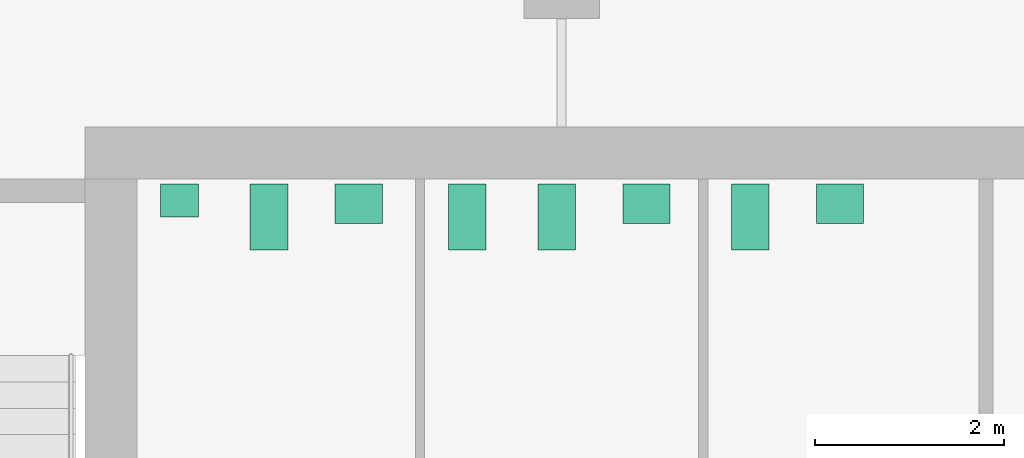
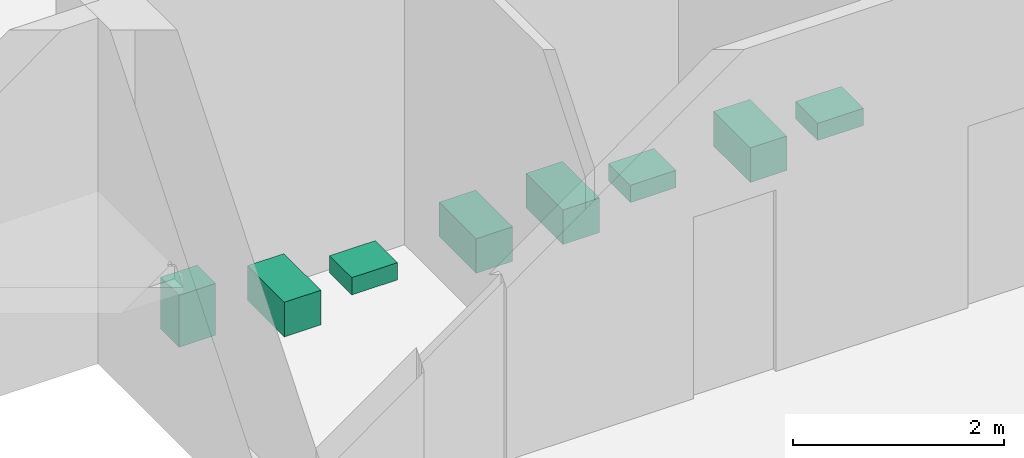
# One storey, part 7 of 7: 8 sanitary terminals.
"""IFC4 building model written with IfcOpenShell, lengths in metres."""

import ifcopenshell
import ifcopenshell.guid

model = None  # the IFC model being written
_history = None  # IfcOwnerHistory: only IFC2X3 demands one
_inside = {}  # id of a spatial element -> (the spatial element, [elements in it])
_under = {}  # id of a project, library or spatial element -> (it, [spatial elements below it])
_declared = {}  # id of a project -> (the project, [libraries it declares])
_typed = {}  # id of a type object -> (the type object, [elements of that type])
_made_of = {}  # id of a material, layer set ... -> (it, [elements and type objects made of it])


def new_model(schema):
    """Start an empty IFC model of exactly this schema.

    Asked for "IFC4X3", IfcOpenShell would pick the latest addendum, in which some entities
    have other attributes; the version numbers below select the first issue.
    IFC2X3 requires an IfcOwnerHistory on every rooted entity: one is made here for all.
    """
    global model, _history
    if schema == "IFC4X3":
        model = ifcopenshell.file(schema_version=(4, 3, 0, 0))
    else:
        model = ifcopenshell.file(schema=schema)
    _inside.clear()
    _under.clear()
    _declared.clear()
    _typed.clear()
    _made_of.clear()
    _history = None
    if model.schema == "IFC2X3":
        org = make("IfcOrganization", Name="unknown")
        user = make(
            "IfcPersonAndOrganization",
            ThePerson=make("IfcPerson", FamilyName="unknown"),
            TheOrganization=org,
        )
        app = make(
            "IfcApplication",
            ApplicationDeveloper=org,
            Version="unknown",
            ApplicationFullName="unknown",
            ApplicationIdentifier="unknown",
        )
        _history = make(
            "IfcOwnerHistory",
            OwningUser=user,
            OwningApplication=app,
            ChangeAction="ADDED",
            CreationDate=0,
        )
    return model


def make(cls, **values):
    """One entity of the class cls with the attributes given. An attribute that is None is left unset."""
    return model.create_entity(
        cls, **{name: value for name, value in values.items() if value is not None}
    )


def rooted(cls, **values):
    """An entity with a GlobalId (a new one), such as an element, a storey or a relation."""
    return make(cls, GlobalId=ifcopenshell.guid.new(), OwnerHistory=_history, **values)


def si_unit(unit_type, name, prefix=None):
    """IfcSIUnit, for example si_unit("LENGTHUNIT", "METRE", prefix="MILLI")."""
    return make("IfcSIUnit", UnitType=unit_type, Prefix=prefix, Name=name)


def assignment(units):
    """IfcUnitAssignment: the units of a project."""
    return None if units is None else make("IfcUnitAssignment", Units=units)


def point(xyz):
    """IfcCartesianPoint."""
    return None if xyz is None else make("IfcCartesianPoint", Coordinates=xyz)


def direction(xyz):
    """IfcDirection."""
    return None if xyz is None else make("IfcDirection", DirectionRatios=xyz)


def frame(location, z_axis=None, x_axis=None):
    """IfcAxis2Placement3D, a coordinate frame: its origin and axes. An axis left out is left unset."""
    return make(
        "IfcAxis2Placement3D",
        Location=point(location),
        Axis=direction(z_axis),
        RefDirection=direction(x_axis),
    )


def frame_2d(location, x_axis=None):
    """IfcAxis2Placement2D, a coordinate frame in the plane: its origin and x axis."""
    return make(
        "IfcAxis2Placement2D", Location=point(location), RefDirection=direction(x_axis)
    )


def origin():
    """The frame at (0, 0, 0) with its axes left unset."""
    return frame((0.0, 0.0, 0.0))


def origin_2d():
    """The frame at (0, 0) in the plane with its x axis left unset."""
    return frame_2d((0.0, 0.0))


def place(relative_to, where):
    """IfcLocalPlacement: puts the frame where relative to a parent placement (None: the world)."""
    return make(
        "IfcLocalPlacement", PlacementRelTo=relative_to, RelativePlacement=where
    )


def context(
    kind, dimensions, precision=None, world=None, true_north=None, identifier=None
):
    """IfcGeometricRepresentationContext, for example the 3D "Model" context."""
    return make(
        "IfcGeometricRepresentationContext",
        ContextIdentifier=identifier,
        ContextType=kind,
        CoordinateSpaceDimension=dimensions,
        Precision=precision,
        WorldCoordinateSystem=world,
        TrueNorth=true_north,
    )


def subcontext(parent, identifier, kind, view, scale=None):
    """IfcGeometricRepresentationSubContext, for example "Body" below "Model"."""
    return make(
        "IfcGeometricRepresentationSubContext",
        ContextIdentifier=identifier,
        ContextType=kind,
        ParentContext=parent,
        TargetScale=scale,
        TargetView=view,
    )


def project(units=None, contexts=None):
    """IfcProject with its units and contexts."""
    return rooted(
        "IfcProject",
        Name="project",
        RepresentationContexts=contexts,
        UnitsInContext=assignment(units),
    )


def spatial(cls, under=None, at=None, **own):
    """A site, building, storey or space (cls), placed at a placement, below another one or the project."""
    s = rooted(cls, ObjectPlacement=at, **own)
    if under is not None:
        _under.setdefault(under.id(), (under, []))[1].append(s)
    return s


def profile(cls, at=None, kind="AREA", **sizes):
    """A parametric profile (cls). Its sizes go by their IFC names, for example OverallWidth=200.0."""
    return make(cls, ProfileType=kind, Position=at, **sizes)


def rectangle(**sizes):
    """IfcRectangleProfileDef."""
    return profile("IfcRectangleProfileDef", **sizes)


def extrude(swept, where, along, depth):
    """IfcExtrudedAreaSolid: the profile swept, set in the frame where, extruded along a direction by depth."""
    return make(
        "IfcExtrudedAreaSolid",
        SweptArea=swept,
        Position=where,
        ExtrudedDirection=direction(along),
        Depth=depth,
    )


def shape(context_of_items, identifier, shape_type, items):
    """IfcShapeRepresentation: the items that make up one representation, for example the "Body"."""
    return make(
        "IfcShapeRepresentation",
        ContextOfItems=context_of_items,
        RepresentationIdentifier=identifier,
        RepresentationType=shape_type,
        Items=items,
    )


def material(Name=None, Category=None):
    """IfcMaterial."""
    return make("IfcMaterial", Name=Name, Category=Category)


def made_of(thing, what):
    """Note that an element or type object is made of a material, layer set ...; save() writes the relation."""
    if what is not None:
        _made_of.setdefault(what.id(), (what, []))[1].append(thing)
    return thing


def type_object(cls, material=None, **own):
    """A type object (cls), such as IfcWallType, which elements share."""
    return made_of(rooted(cls, **own), material)


def element(
    cls,
    number,
    at=None,
    inside=None,
    cuts=None,
    type_object=None,
    material=None,
    context=None,
    identifier="Body",
    shape_type=None,
    held_by="IfcProductDefinitionShape",
    body=None,
    shapes=None,
    **own,
):
    """One element of the class cls, such as IfcWall. Its Tag is "e" and its number.

    at: its placement. inside: the storey or other place that contains it. cuts: it is an
    opening in that element (IfcRelVoidsElement). A single representation is given by context,
    identifier, shape_type and body (its items); several are given by shapes. held_by: the class
    of the entity that holds the representations. save() writes the other relations.
    """
    e = rooted(cls, Tag="e%d" % number, ObjectPlacement=at, **own)
    if body is not None:
        shapes = [shape(context, identifier, shape_type, body)]
    if shapes is not None:
        e.Representation = make(held_by, Representations=shapes)
    if inside is not None:
        _inside.setdefault(inside.id(), (inside, []))[1].append(e)
    if cuts is not None:
        rooted(
            "IfcRelVoidsElement", RelatingBuildingElement=cuts, RelatedOpeningElement=e
        )
    if type_object is not None:
        _typed.setdefault(type_object.id(), (type_object, []))[1].append(e)
    return made_of(e, material)


def aggregate(whole, parts):
    """IfcRelAggregates: a whole, such as a stair, and the parts it consists of."""
    return rooted("IfcRelAggregates", RelatingObject=whole, RelatedObjects=parts)


def save(model, path):
    """Write the relations noted so far, then the file.

    IfcRelAggregates (storeys below a building ...), IfcRelContainedInSpatialStructure (elements
    in a storey), IfcRelDefinesByType, IfcRelAssociatesMaterial and IfcRelDeclares: one each for
    every whole, place, type object, material and project.
    """
    for whole, parts in _under.values():
        aggregate(whole, parts)
    for where, things in _inside.values():
        rooted(
            "IfcRelContainedInSpatialStructure",
            RelatedElements=things,
            RelatingStructure=where,
        )
    for kind, things in _typed.values():
        rooted("IfcRelDefinesByType", RelatedObjects=things, RelatingType=kind)
    for what, things in _made_of.values():
        rooted("IfcRelAssociatesMaterial", RelatedObjects=things, RelatingMaterial=what)
    for by, libraries in _declared.values():
        rooted("IfcRelDeclares", RelatingContext=by, RelatedDefinitions=libraries)
    model.write(path)


model = new_model("IFC4")

# Units and contexts
model_context = context("Model", 3, precision=1e-05, world=origin(), true_north=direction((0.0, 1.0)))
body_context = subcontext(model_context, "Body", "Model", "MODEL_VIEW")
ifc_project = project(units=[si_unit("LENGTHUNIT", "METRE"), si_unit("AREAUNIT", "SQUARE_METRE"), si_unit("VOLUMEUNIT", "CUBIC_METRE"), si_unit("PLANEANGLEUNIT", "RADIAN"), si_unit("MASSUNIT", "GRAM", prefix="KILO")], contexts=[model_context])

# Site, building, storey
site_placement = place(None, origin())
site = spatial("IfcSite", under=ifc_project, at=site_placement, CompositionType="ELEMENT")
building_placement = place(site_placement, origin())
building = spatial("IfcBuilding", under=site, at=building_placement, Name="Cinnabar Reach Civic Tower", CompositionType="ELEMENT")
storey_placement = place(building_placement, frame((0.0, 0.0, 218.0)))
storey = spatial("IfcBuildingStorey", under=building, at=storey_placement, Name="L52", CompositionType="ELEMENT", Elevation=218.0)

# Sanitary terminals
ifc_material = material(Name="Vitreous china")
sanitary_terminal_type_1 = type_object("IfcSanitaryTerminalType", Name="T1 WC pan", PredefinedType="TOILETPAN", material=ifc_material)
for number, where, z_axis, x_axis, name in (
    (1, (5.9, 41.6, 0.0), (0.0, 0.0, 1.0), (1.0, 0.0, 0.0), "T1 WC pan 5209-2"),
    (2, (8.0, 41.6, 0.0), (0.0, 0.0, 1.0), (1.0, 0.0, 0.0), "T1 WC pan 5210-1"),
    (3, (8.95, 41.6, 0.0), (0.0, 0.0, 1.0), (1.0, 0.0, 0.0), "T1 WC pan 5210-2"),
    (4, (11.0, 41.6, 0.0), (0.0, 0.0, 1.0), (1.0, 0.0, 0.0), "T1 WC pan 5211-1"),
):
    element("IfcSanitaryTerminal", number, at=place(storey_placement, frame(where, z_axis=z_axis, x_axis=x_axis)), inside=storey, type_object=sanitary_terminal_type_1, Name=name, PredefinedType="TOILETPAN", context=body_context, shape_type="SweptSolid", body=[
        extrude(rectangle(XDim=0.4, YDim=0.7, at=origin_2d()), origin(), (0.0, 0.0, 1.0), 0.4),
    ])
sanitary_terminal_type_2 = type_object("IfcSanitaryTerminalType", Name="T1 urinal", PredefinedType="URINAL", material=ifc_material)
sanitary_terminal_placement = place(storey_placement, frame((4.95, 41.775, 0.0), z_axis=(0.0, 0.0, 1.0), x_axis=(1.0, 0.0, 0.0)))
element("IfcSanitaryTerminal", 5, at=sanitary_terminal_placement, inside=storey, type_object=sanitary_terminal_type_2, Name="T1 urinal 5209-1", PredefinedType="URINAL", context=body_context, shape_type="SweptSolid", body=[
    extrude(rectangle(XDim=0.4, YDim=0.35, at=origin_2d()), origin(), (0.0, 0.0, 1.0), 0.6),
])
sanitary_terminal_type_3 = type_object("IfcSanitaryTerminalType", Name="T1 wash basin", PredefinedType="WASHHANDBASIN", material=ifc_material)
for number, where, z_axis, x_axis, name in (
    (6, (6.85, 41.74, 0.0), (0.0, 0.0, 1.0), (1.0, 0.0, 0.0), "T1 wash basin 5209-3"),
    (7, (9.9, 41.74, 0.0), (0.0, 0.0, 1.0), (1.0, 0.0, 0.0), "T1 wash basin 5210-3"),
    (8, (11.95, 41.74, 0.0), (0.0, 0.0, 1.0), (1.0, 0.0, 0.0), "T1 wash basin 5211-2"),
):
    element("IfcSanitaryTerminal", number, at=place(storey_placement, frame(where, z_axis=z_axis, x_axis=x_axis)), inside=storey, type_object=sanitary_terminal_type_3, Name=name, PredefinedType="WASHHANDBASIN", context=body_context, shape_type="SweptSolid", body=[
        extrude(rectangle(XDim=0.5, YDim=0.42, at=origin_2d()), origin(), (0.0, 0.0, 1.0), 0.2),
    ])

save(model, "model.ifc")
